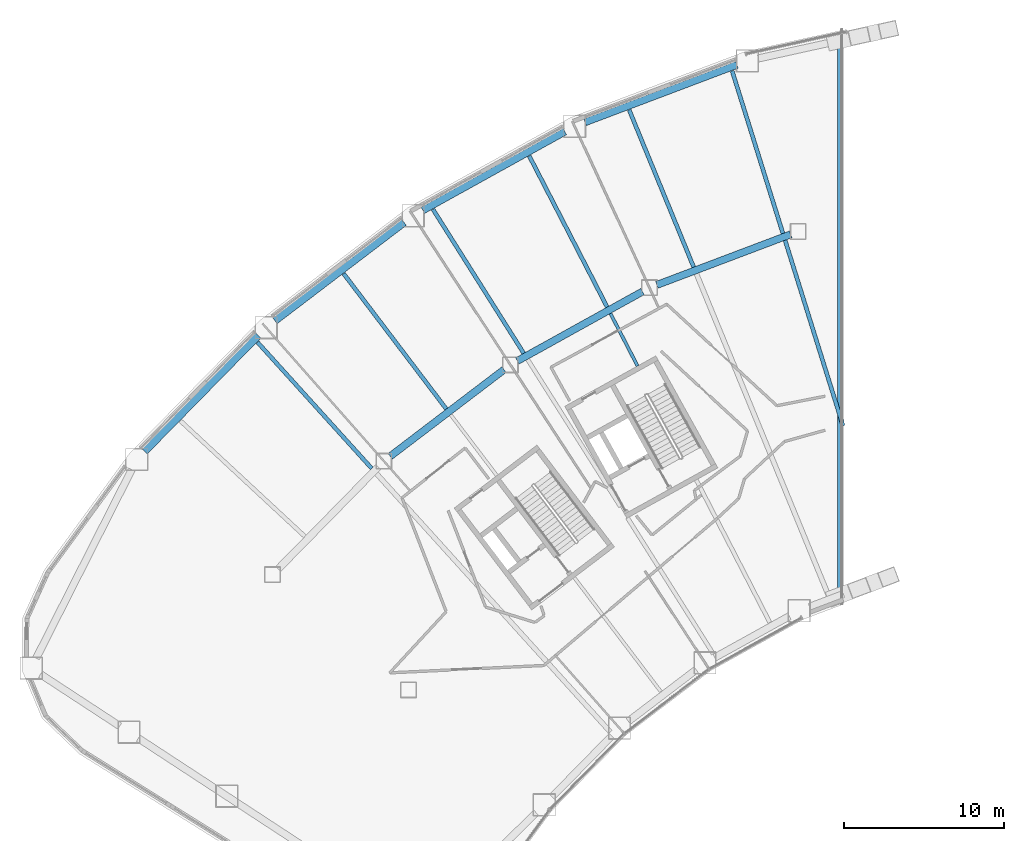
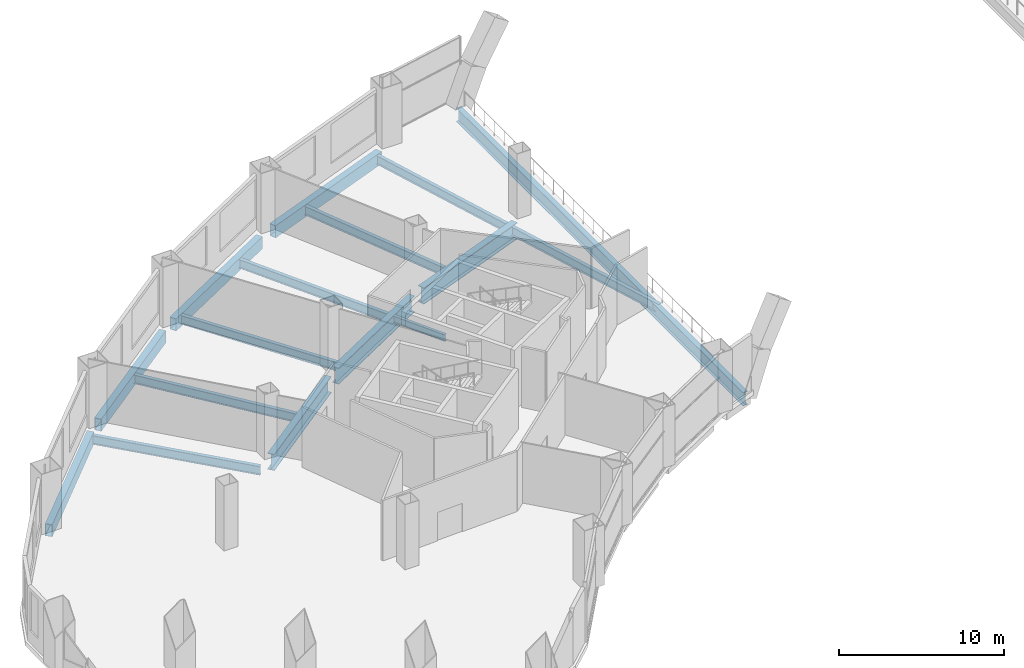
# One storey, part 6 of 20: 16 beams.
"""IFC4 building model written with IfcOpenShell, lengths in metres."""

from ifc_helpers import new_model, si_unit, direction, frame, origin, origin_2d, place, context, subcontext, project, spatial, hollow_rectangle, i_section, extrude, material, material_profile, profile_set, type_object, element, save


model = new_model("IFC4")

# Units and contexts
model_context = context("Model", 3, precision=1e-05, world=origin(), true_north=direction((0.0, 1.0)))
body_context = subcontext(model_context, "Body", "Model", "MODEL_VIEW")
ifc_project = project(units=[si_unit("LENGTHUNIT", "METRE"), si_unit("AREAUNIT", "SQUARE_METRE"), si_unit("VOLUMEUNIT", "CUBIC_METRE"), si_unit("PLANEANGLEUNIT", "RADIAN"), si_unit("MASSUNIT", "GRAM", prefix="KILO")], contexts=[model_context])

# Site, building, storey
site_placement = place(None, origin())
site = spatial("IfcSite", under=ifc_project, at=site_placement, CompositionType="ELEMENT")
building_placement = place(site_placement, origin())
building = spatial("IfcBuilding", under=site, at=building_placement, Name="Tuul Gate Civic Tower", CompositionType="ELEMENT")
storey_placement = place(building_placement, frame((0.0, 0.0, 12.300048828125)))
storey = spatial("IfcBuildingStorey", under=building, at=storey_placement, Name="Level 02", CompositionType="ELEMENT", Elevation=12.300048828125)

# Beams
ifc_material_1 = material(Name="Steel S355", Category="steel")
ifc_material_profile_1 = material_profile(ifc_material_1, i_section(OverallWidth=0.199951171875, OverallDepth=0.5, WebThickness=0.010009765625, FlangeThickness=0.01611328125, at=origin_2d()), Name="PG500x200x10x16")
ifc_profile_set_1 = profile_set([ifc_material_profile_1], Name="Steel S355")
beam_type_1 = type_object("IfcBeamType", Name="STR-FLOOR BEAM-PG500x200x10x16", PredefinedType="BEAM", material=ifc_profile_set_1)
beam_1_placement = place(storey_placement, frame((-29.65625, -2.4814453125, -0.60009765625), z_axis=(-0.458245936385, 0.888825439435, 0.0), x_axis=(-0.888825439435, -0.458245936385, 0.0)))
element("IfcBeam", 1, at=beam_1_placement, inside=storey, type_object=beam_type_1, Name="Floor beam", PredefinedType="BEAM", context=body_context, shape_type="SweptSolid", body=[
    extrude(i_section(OverallWidth=0.199951171875, OverallDepth=0.5, WebThickness=0.010009765625, FlangeThickness=0.01611328125, at=origin_2d()), origin(), (0.0, 0.0, 1.0), 3.697509765625),
])
ifc_material_2 = material(Name="Steel S355", Category="steel")
ifc_material_profile_2 = material_profile(ifc_material_2, i_section(OverallWidth=0.25, OverallDepth=0.64990234375, WebThickness=0.011962890625, FlangeThickness=0.02001953125, at=origin_2d()), Name="PG650x250x12x20")
ifc_profile_set_2 = profile_set([ifc_material_profile_2], Name="Steel S355")
beam_type_2 = type_object("IfcBeamType", Name="STR-FLOOR BEAM-PG650x250x12x20", PredefinedType="BEAM", material=ifc_profile_set_2)
beam_2_placement = place(storey_placement, frame((-16.81298828125, -6.208251953125, -0.675048828125), z_axis=(-0.298325377372, 0.954464231501, 0.0), x_axis=(-0.954464231501, -0.298325377372, 0.0)))
element("IfcBeam", 2, at=beam_2_placement, inside=storey, type_object=beam_type_2, Name="Floor beam", PredefinedType="BEAM", context=body_context, shape_type="SweptSolid", body=[
    extrude(i_section(OverallWidth=0.25, OverallDepth=0.64990234375, WebThickness=0.011962890625, FlangeThickness=0.02001953125, at=origin_2d()), origin(), (0.0, 0.0, 1.0), 12.1396484375),
])
beam_3_placement = place(storey_placement, frame((-20.569091796875, 5.808837890625, -0.675048828125), z_axis=(-0.298314175954, 0.954467732522, 0.0), x_axis=(-0.954467732522, -0.298314175954, 0.0)))
element("IfcBeam", 3, at=beam_3_placement, inside=storey, type_object=beam_type_2, Name="Floor beam", PredefinedType="BEAM", context=body_context, shape_type="SweptSolid", body=[
    extrude(i_section(OverallWidth=0.25, OverallDepth=0.64990234375, WebThickness=0.011962890625, FlangeThickness=0.02001953125, at=origin_2d()), origin(), (0.0, 0.0, 1.0), 10.643310546875),
])
beam_4_placement = place(storey_placement, frame((-26.146240234375, 3.7001953125, -0.675048828125), z_axis=(-0.379723712326, 0.925099941789, 0.0), x_axis=(-0.925099941789, -0.379723712326, 0.0)))
element("IfcBeam", 4, at=beam_4_placement, inside=storey, type_object=beam_type_2, Name="Floor beam", PredefinedType="BEAM", context=body_context, shape_type="SweptSolid", body=[
    extrude(i_section(OverallWidth=0.25, OverallDepth=0.64990234375, WebThickness=0.011962890625, FlangeThickness=0.02001953125, at=origin_2d()), origin(), (0.0, 0.0, 1.0), 10.629150390625),
])
beam_5_placement = place(storey_placement, frame((-31.556884765625, 1.205078125, -0.675048828125), z_axis=(-0.458267871085, 0.888814130362, 0.0), x_axis=(-0.888814130362, -0.458267871085, 0.0)))
element("IfcBeam", 5, at=beam_5_placement, inside=storey, type_object=beam_type_2, Name="Floor beam", PredefinedType="BEAM", context=body_context, shape_type="SweptSolid", body=[
    extrude(i_section(OverallWidth=0.25, OverallDepth=0.64990234375, WebThickness=0.011962890625, FlangeThickness=0.02001953125, at=origin_2d()), origin(), (0.0, 0.0, 1.0), 10.6298828125),
])
beam_6_placement = place(storey_placement, frame((-36.771484375, -1.685546875, -0.675048828125), z_axis=(-0.533386929433, 0.845871375275, 0.0), x_axis=(-0.845871375275, -0.533386929433, 0.0)))
element("IfcBeam", 6, at=beam_6_placement, inside=storey, type_object=beam_type_2, Name="Floor beam", PredefinedType="BEAM", context=body_context, shape_type="SweptSolid", body=[
    extrude(i_section(OverallWidth=0.25, OverallDepth=0.64990234375, WebThickness=0.011962890625, FlangeThickness=0.02001953125, at=origin_2d()), origin(), (0.0, 0.0, 1.0), 10.641845703125),
])
beam_7_placement = place(storey_placement, frame((-41.608642578125, -5.169921875, -0.675048828125), z_axis=(-0.604505162529, 0.796601222995, 0.0), x_axis=(-0.796601222995, -0.604505162529, 0.0)))
element("IfcBeam", 7, at=beam_7_placement, inside=storey, type_object=beam_type_2, Name="Floor beam", PredefinedType="BEAM", context=body_context, shape_type="SweptSolid", body=[
    extrude(i_section(OverallWidth=0.25, OverallDepth=0.64990234375, WebThickness=0.011962890625, FlangeThickness=0.02001953125, at=origin_2d()), origin(), (0.0, 0.0, 1.0), 10.625),
])
beam_8_placement = place(storey_placement, frame((-46.27490234375, -8.881103515625, -0.675048828125), z_axis=(-0.671117501912, 0.741350995567, 0.0), x_axis=(-0.741350995567, -0.671117501912, 0.0)))
element("IfcBeam", 8, at=beam_8_placement, inside=storey, type_object=beam_type_2, Name="Floor beam", PredefinedType="BEAM", context=body_context, shape_type="SweptSolid", body=[
    extrude(i_section(OverallWidth=0.25, OverallDepth=0.64990234375, WebThickness=0.011962890625, FlangeThickness=0.02001953125, at=origin_2d()), origin(), (0.0, 0.0, 1.0), 10.643798828125),
])
ifc_material_3 = material(Name="Steel S355", Category="steel")
ifc_material_profile_3 = material_profile(ifc_material_3, i_section(OverallWidth=0.35009765625, OverallDepth=1.0, WebThickness=0.01611328125, FlangeThickness=0.030029296875, at=origin_2d()), Name="PG1000x350x16x30")
ifc_profile_set_3 = profile_set([ifc_material_profile_3], Name="Steel S355")
beam_type_3 = type_object("IfcBeamType", Name="STR-RING BEAM-PG1000x350x16x30", PredefinedType="BEAM", material=ifc_profile_set_3)
beam_9_placement = place(storey_placement, frame((-16.988037109375, -16.8115234375, -0.85009765625), z_axis=(0.0, 1.0, 0.0), x_axis=(-1.0, 0.0, 0.0)))
element("IfcBeam", 9, at=beam_9_placement, inside=storey, type_object=beam_type_3, Name="Tunnel edge beam", PredefinedType="BEAM", context=body_context, shape_type="SweptSolid", body=[
    extrude(i_section(OverallWidth=0.35009765625, OverallDepth=1.0, WebThickness=0.01611328125, FlangeThickness=0.030029296875, at=origin_2d()), origin(), (0.0, 0.0, 1.0), 34.685546875),
])
ifc_material_4 = material(Name="Steel S355", Category="steel")
ifc_material_profile_4 = material_profile(ifc_material_4, i_section(OverallWidth=0.449951171875, OverallDepth=1.199951171875, WebThickness=0.02001953125, FlangeThickness=0.0400390625, at=origin_2d()), Name="PG1200x450x20x40")
ifc_profile_set_4 = profile_set([ifc_material_profile_4], Name="Steel S355")
beam_type_4 = type_object("IfcBeamType", Name="STR-RING BEAM-PG1200x450x20x40", PredefinedType="BEAM", material=ifc_profile_set_4)
beam_10_placement = place(storey_placement, frame((-45.1162109375, -8.12353515625, -0.949951171875), z_axis=(0.795619775117, 0.605796313494, 0.0), x_axis=(-0.605796313494, 0.795619775117, 0.0)))
element("IfcBeam", 10, at=beam_10_placement, inside=storey, type_object=beam_type_4, Name="Ring girder", PredefinedType="BEAM", context=body_context, shape_type="SweptSolid", body=[
    extrude(i_section(OverallWidth=0.449951171875, OverallDepth=1.199951171875, WebThickness=0.02001953125, FlangeThickness=0.0400390625, at=origin_2d()), origin(), (0.0, 0.0, 1.0), 8.938720703125),
])
beam_11_placement = place(storey_placement, frame((-37.16943359375, -2.163330078125, -0.949951171875), z_axis=(0.874603942318, 0.484838059646, 0.0), x_axis=(-0.484838059646, 0.874603942318, 0.0)))
element("IfcBeam", 11, at=beam_11_placement, inside=storey, type_object=beam_type_4, Name="Ring girder", PredefinedType="BEAM", context=body_context, shape_type="SweptSolid", body=[
    extrude(i_section(OverallWidth=0.449951171875, OverallDepth=1.199951171875, WebThickness=0.02001953125, FlangeThickness=0.0400390625, at=origin_2d()), origin(), (0.0, 0.0, 1.0), 8.93896484375),
])
beam_12_placement = place(storey_placement, frame((-28.4462890625, 2.58984375, -0.949951171875), z_axis=(0.935363691273, 0.353687383218, 0.0), x_axis=(-0.353687383218, 0.935363691273, 0.0)))
element("IfcBeam", 12, at=beam_12_placement, inside=storey, type_object=beam_type_4, Name="Ring girder", PredefinedType="BEAM", context=body_context, shape_type="SweptSolid", body=[
    extrude(i_section(OverallWidth=0.449951171875, OverallDepth=1.199951171875, WebThickness=0.02001953125, FlangeThickness=0.0400390625, at=origin_2d()), origin(), (0.0, 0.0, 1.0), 8.938232421875),
])
ifc_material_5 = material(Name="Steel S355", Category="steel")
ifc_material_profile_5 = material_profile(ifc_material_5, hollow_rectangle(XDim=0.449951171875, YDim=0.89990234375, WallThickness=0.02490234375, at=origin_2d()), Name="BOX900x450x25")
ifc_profile_set_5 = profile_set([ifc_material_profile_5], Name="Steel S355")
beam_type_5 = type_object("IfcBeamType", Name="STR-SPANDREL BEAM-BOX900x450x25", PredefinedType="BEAM", material=ifc_profile_set_5)
beam_13_placement = place(storey_placement, frame((-23.44677734375, 16.347412109375, -0.800048828125), z_axis=(-0.935355549891, -0.353708913215, 0.0), x_axis=(0.353708913215, -0.935355549891, 0.0)))
element("IfcBeam", 13, at=beam_13_placement, inside=storey, type_object=beam_type_5, Name="Spandrel beam", PredefinedType="BEAM", context=body_context, shape_type="SweptSolid", body=[
    extrude(hollow_rectangle(XDim=0.449951171875, YDim=0.89990234375, WallThickness=0.02490234375, at=origin_2d()), origin(), (0.0, 0.0, 1.0), 10.146484375),
])
for number, where, z_axis, x_axis, name in (
    (14, (-34.204345703125, 12.171630859375, -0.800048828125), (-0.874621074476, -0.484807153497, 0.0), (0.484807153497, -0.874621074476, 0.0), "Spandrel beam"),
    (15, (-44.248046875, 6.489013671875, -0.800048828125), (-0.795616160285, -0.605801060987, 0.0), (0.605801060987, -0.795616160285, 0.0), "Spandrel beam"),
):
    element("IfcBeam", number, at=place(storey_placement, frame(where, z_axis=z_axis, x_axis=x_axis)), inside=storey, type_object=beam_type_5, Name=name, PredefinedType="BEAM", context=body_context, shape_type="SweptSolid", body=[
        extrude(hollow_rectangle(XDim=0.449951171875, YDim=0.89990234375, WallThickness=0.02490234375, at=origin_2d()), origin(), (0.0, 0.0, 1.0), 10.146728515625),
    ])
beam_14_placement = place(storey_placement, frame((-53.367919921875, -0.581787109375, -0.800048828125), z_axis=(-0.700009826077, -0.714133211239, 0.0), x_axis=(0.714133211239, -0.700009826077, 0.0)))
element("IfcBeam", 16, at=beam_14_placement, inside=storey, type_object=beam_type_5, Name="Spandrel beam", PredefinedType="BEAM", context=body_context, shape_type="SweptSolid", body=[
    extrude(hollow_rectangle(XDim=0.449951171875, YDim=0.89990234375, WallThickness=0.02490234375, at=origin_2d()), origin(), (0.0, 0.0, 1.0), 10.14697265625),
])

save(model, "model.ifc")
